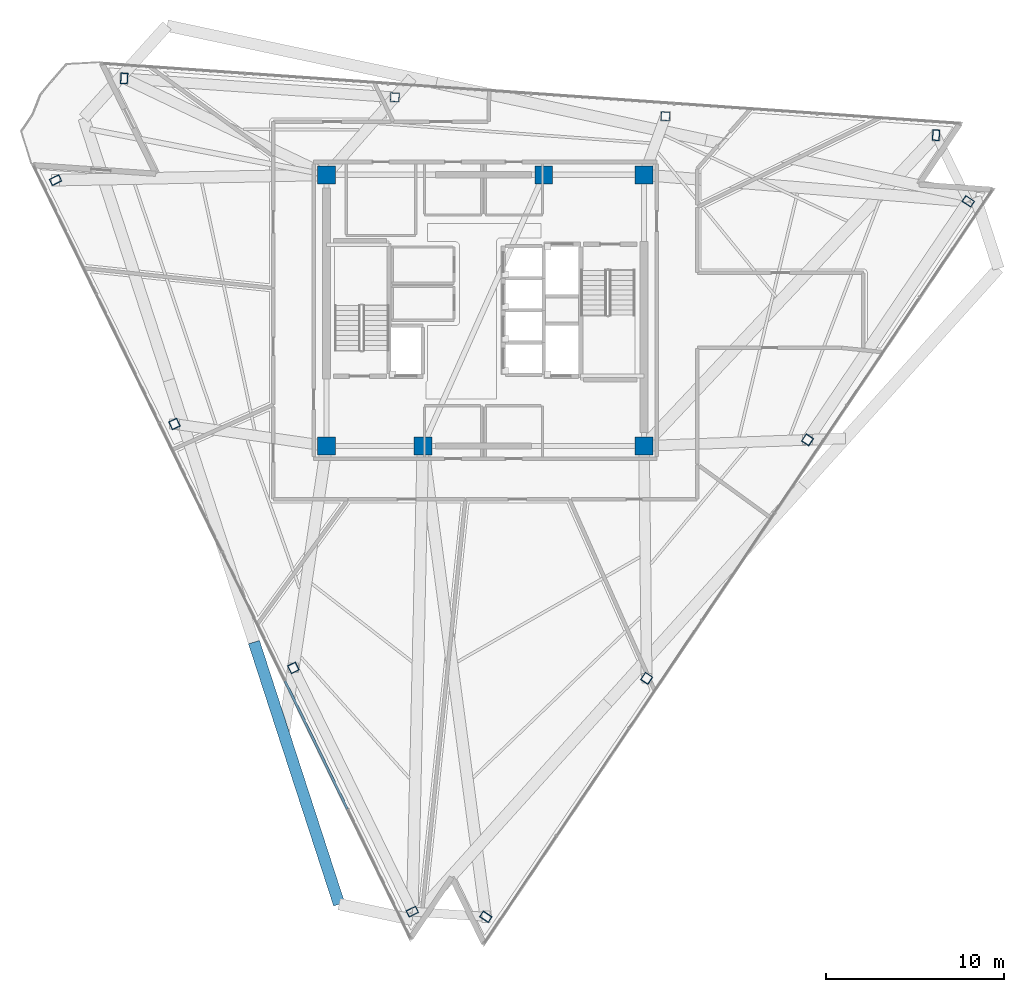
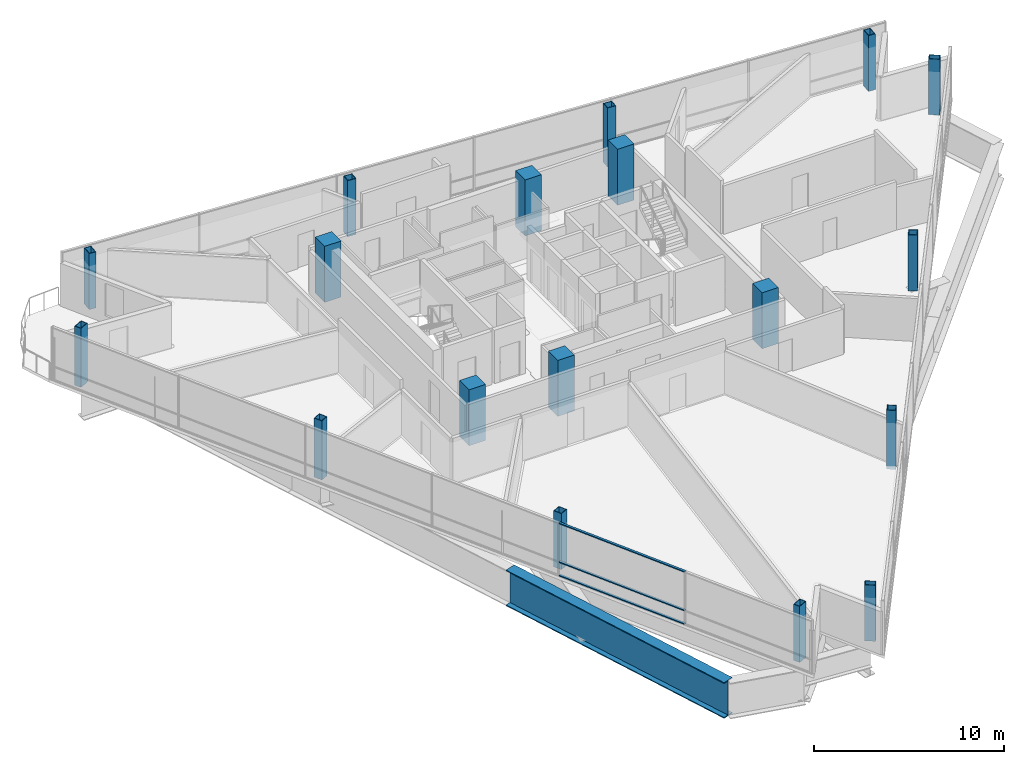
# One storey, part 1 of 14: 18 columns, 3 members, 1 beam, 1 element without a shape of its own.
"""IFC4 building model written with IfcOpenShell, lengths in metres."""

from ifc_helpers import new_model, si_unit, direction, frame, origin, origin_2d, place, context, subcontext, project, spatial, rectangle, hollow_rectangle, i_section, extrude, material, layer, layer_set, material_profile, profile_set, type_object, element, aggregate, save


model = new_model("IFC4")

# Units and contexts
model_context = context("Model", 3, precision=1e-05, world=origin(), true_north=direction((0.0, 1.0)))
body_context = subcontext(model_context, "Body", "Model", "MODEL_VIEW")
ifc_project = project(units=[si_unit("LENGTHUNIT", "METRE"), si_unit("AREAUNIT", "SQUARE_METRE"), si_unit("VOLUMEUNIT", "CUBIC_METRE"), si_unit("PLANEANGLEUNIT", "RADIAN"), si_unit("MASSUNIT", "GRAM", prefix="KILO")], contexts=[model_context])

# Site, building, storey
site_placement = place(None, origin())
site = spatial("IfcSite", under=ifc_project, at=site_placement, CompositionType="ELEMENT")
building_placement = place(site_placement, origin())
building = spatial("IfcBuilding", under=site, at=building_placement, Name="Tharavind Bronze Gate", CompositionType="ELEMENT")
storey_placement = place(building_placement, frame((0.0, 0.0, 227.050048828125)))
storey = spatial("IfcBuildingStorey", under=building, at=storey_placement, Name="L58", CompositionType="ELEMENT", Elevation=227.050048828125)

# Columns
ifc_material_1 = material(Name="Steel S460", Category="steel")
ifc_material_profile_1 = material_profile(ifc_material_1, hollow_rectangle(XDim=0.39990234375, YDim=0.60009765625, WallThickness=0.030029296875, at=origin_2d()), Name="RHS600X400X30")
ifc_profile_set_1 = profile_set([ifc_material_profile_1], Name="Steel S460")
column_type_1 = type_object("IfcColumnType", Name="CORNER NOTCH COLUMN RHS600X400", PredefinedType="COLUMN", material=ifc_profile_set_1)
column_1_placement = place(storey_placement, frame((-24.093505859375, 7.302001953125, -0.18994140625), z_axis=(0.0, 0.0, 1.0), x_axis=(-0.438371146789, 0.898794046299, 0.0)))
element("IfcColumn", 1, at=column_1_placement, inside=storey, type_object=column_type_1, Name="L58 perimeter column S1C1", PredefinedType="COLUMN", context=body_context, shape_type="SweptSolid", body=[
    extrude(hollow_rectangle(XDim=0.39990234375, YDim=0.60009765625, WallThickness=0.030029296875, at=origin_2d()), origin(), (0.0, 0.0, 1.0), 3.789794921875),
])
for number, where, z_axis, x_axis, name in (
    (2, (-4.090576171875, -33.710205078125, 0.0), (0.0, 0.0, 1.0), (-0.438371146789, 0.898794046299, 0.0), "L58 perimeter column S1C4"),
    (3, (0.02734375, -33.998046875, 0.0), (0.0, 0.0, 1.0), (0.559194350413, 0.829036596578, 0.0), "L58 perimeter column S2C1"),
    (4, (27.082275390625, 6.112548828125, 0.0), (0.0, 0.0, 1.0), (0.559194350413, 0.829036596578, 0.0), "L58 perimeter column S2C4"),
    (5, (25.272705078125, 9.82275390625, 0.0), (0.0, 0.0, 1.0), (-0.99756405026, 0.069756473744, 0.0), "L58 perimeter column S3C1"),
    (6, (-20.246337890625, 13.005615234375, 0.0), (0.0, 0.0, 1.0), (-0.99756405026, 0.069756473744, 0.0), "L58 perimeter column S3C4"),
):
    element("IfcColumn", number, at=place(storey_placement, frame(where, z_axis=z_axis, x_axis=x_axis)), inside=storey, type_object=column_type_1, Name=name, PredefinedType="COLUMN", context=body_context, shape_type="SweptSolid", body=[
        extrude(hollow_rectangle(XDim=0.39990234375, YDim=0.60009765625, WallThickness=0.030029296875, at=origin_2d()), origin(), (0.0, 0.0, 1.0), 3.599853515625),
    ])
ifc_material_2 = material(Name="Concrete C50/60", Category="concrete")
ifc_material_profile_2 = material_profile(ifc_material_2, rectangle(XDim=1.0, YDim=1.0, at=origin_2d()), Name="RCCOL1000")
ifc_profile_set_2 = profile_set([ifc_material_profile_2], Name="Concrete C50/60")
column_type_2 = type_object("IfcColumnType", Name="MEGA CORE COLUMN 1000", PredefinedType="COLUMN", material=ifc_profile_set_2)
for number, where, z_axis, x_axis, name in (
    (7, (-8.89990234375, -7.60009765625, 0.0), (0.0, 0.0, 1.0), (1.0, 0.0, 0.0), "L58 core mega column MC1"),
    (8, (-3.5, -7.60009765625, 0.0), (0.0, 0.0, 1.0), (1.0, 0.0, 0.0), "L58 core mega column MC2"),
    (9, (8.89990234375, -7.60009765625, 0.0), (0.0, 0.0, 1.0), (1.0, 0.0, 0.0), "L58 core mega column MC3"),
    (10, (8.89990234375, 7.60009765625, 0.0), (0.0, 0.0, 1.0), (1.0, 0.0, 0.0), "L58 core mega column MC4"),
    (11, (3.280029296875, 7.60009765625, 0.0), (0.0, 0.0, 1.0), (1.0, 0.0, 0.0), "L58 core mega column MC5"),
    (12, (-8.89990234375, 7.60009765625, 0.0), (0.0, 0.0, 1.0), (1.0, 0.0, 0.0), "L58 core mega column MC6"),
):
    element("IfcColumn", number, at=place(storey_placement, frame(where, z_axis=z_axis, x_axis=x_axis)), inside=storey, type_object=column_type_2, Name=name, PredefinedType="COLUMN", context=body_context, shape_type="SweptSolid", body=[
        extrude(rectangle(XDim=1.0, YDim=1.0, at=origin_2d()), origin(), (0.0, 0.0, 1.0), 3.599853515625),
    ])
ifc_material_profile_3 = material_profile(ifc_material_1, hollow_rectangle(XDim=0.5, YDim=0.5, WallThickness=0.031982421875, at=origin_2d()), Name="SHS500X32")
ifc_profile_set_3 = profile_set([ifc_material_profile_3], Name="Steel S460")
column_type_3 = type_object("IfcColumnType", Name="PERIMETER BOX COLUMN SHS500", PredefinedType="COLUMN", material=ifc_profile_set_3)
column_2_placement = place(storey_placement, frame((-17.42578125, -6.368896484375, -0.18994140625), z_axis=(0.0, 0.0, 1.0), x_axis=(-0.438371146789, 0.898794046299, 0.0)))
element("IfcColumn", 13, at=column_2_placement, inside=storey, type_object=column_type_3, Name="L58 perimeter column S1C2", PredefinedType="COLUMN", context=body_context, shape_type="SweptSolid", body=[
    extrude(hollow_rectangle(XDim=0.5, YDim=0.5, WallThickness=0.031982421875, at=origin_2d()), origin(), (0.0, 0.0, 1.0), 3.789794921875),
])
column_3_placement = place(storey_placement, frame((-10.75830078125, -20.039306640625, 0.0), z_axis=(0.0, 0.0, 1.0), x_axis=(-0.438371146789, 0.898794046299, 0.0)))
element("IfcColumn", 14, at=column_3_placement, inside=storey, type_object=column_type_3, Name="L58 perimeter column S1C3", PredefinedType="COLUMN", context=body_context, shape_type="SweptSolid", body=[
    extrude(hollow_rectangle(XDim=0.5, YDim=0.5, WallThickness=0.031982421875, at=origin_2d()), origin(), (0.0, 0.0, 1.0), 3.599853515625),
])
column_4_placement = place(storey_placement, frame((9.045654296875, -20.627685546875, -0.18994140625), z_axis=(0.0, 0.0, 1.0), x_axis=(0.559194350413, 0.829036596578, 0.0)))
element("IfcColumn", 15, at=column_4_placement, inside=storey, type_object=column_type_3, Name="L58 perimeter column S2C2", PredefinedType="COLUMN", context=body_context, shape_type="SweptSolid", body=[
    extrude(hollow_rectangle(XDim=0.5, YDim=0.5, WallThickness=0.031982421875, at=origin_2d()), origin(), (0.0, 0.0, 1.0), 3.789794921875),
])
column_5_placement = place(storey_placement, frame((18.06396484375, -7.2578125, 0.0), z_axis=(0.0, 0.0, 1.0), x_axis=(0.559194350413, 0.829036596578, 0.0)))
element("IfcColumn", 16, at=column_5_placement, inside=storey, type_object=column_type_3, Name="L58 perimeter column S2C3", PredefinedType="COLUMN", context=body_context, shape_type="SweptSolid", body=[
    extrude(hollow_rectangle(XDim=0.5, YDim=0.5, WallThickness=0.031982421875, at=origin_2d()), origin(), (0.0, 0.0, 1.0), 3.599853515625),
])
column_6_placement = place(storey_placement, frame((10.099609375, 10.8837890625, -0.18994140625), z_axis=(0.0, 0.0, 1.0), x_axis=(-0.99756405026, 0.069756473744, 0.0)))
element("IfcColumn", 17, at=column_6_placement, inside=storey, type_object=column_type_3, Name="L58 perimeter column S3C2", PredefinedType="COLUMN", context=body_context, shape_type="SweptSolid", body=[
    extrude(hollow_rectangle(XDim=0.5, YDim=0.5, WallThickness=0.031982421875, at=origin_2d()), origin(), (0.0, 0.0, 1.0), 3.789794921875),
])
column_7_placement = place(storey_placement, frame((-5.0732421875, 11.944580078125, 0.0), z_axis=(0.0, 0.0, 1.0), x_axis=(-0.99756405026, 0.069756473744, 0.0)))
element("IfcColumn", 18, at=column_7_placement, inside=storey, type_object=column_type_3, Name="L58 perimeter column S3C3", PredefinedType="COLUMN", context=body_context, shape_type="SweptSolid", body=[
    extrude(hollow_rectangle(XDim=0.5, YDim=0.5, WallThickness=0.031982421875, at=origin_2d()), origin(), (0.0, 0.0, 1.0), 3.599853515625),
])

# Curtain wall, members
ifc_material_3 = material(Name="Anodised Bronze Aluminium", Category="aluminium")
ifc_layer = layer(ifc_material_3, 0.219970703125)
ifc_layer_set = layer_set([ifc_layer], Name="Anodised Bronze Aluminium")
curtain_wall_type = type_object("IfcCurtainWallType", Name="UNITISED CURTAIN WALL UPPER OFFICE", PredefinedType="USERDEFINED", material=ifc_layer_set)
curtain_wall_placement = place(storey_placement, origin())
curtain_wall = element("IfcCurtainWall", 19, at=curtain_wall_placement, inside=storey, type_object=curtain_wall_type, Name="L58 unitised curtain wall upper office CW-L58-S1", ObjectType="UNITISED CURTAIN WALL", PredefinedType="USERDEFINED")
member_type = type_object("IfcMemberType", Name="CURTAIN WALL BRONZE TRANSOM 65X140", PredefinedType="USERDEFINED", material=ifc_material_3)
member_1_placement = place(storey_placement, frame((-9.480712890625, -24.36962890625, 0.0), z_axis=(0.0, 0.0, 1.0), x_axis=(0.438371146789, -0.898794046299, 0.0)))
member_1 = element("IfcMember", 20, at=member_1_placement, type_object=member_type, Name="CW-L58-S1 transom TB5", ObjectType="TRANSOM", PredefinedType="USERDEFINED", context=body_context, shape_type="SweptSolid", body=[
    extrude(rectangle(XDim=7.985107421875, YDim=0.139892578125, at=origin_2d()), origin(), (0.0, 0.0, 1.0), 0.06494140625),
])
member_2_placement = place(storey_placement, frame((-9.480712890625, -24.36962890625, 0.867431640625), z_axis=(0.0, 0.0, 1.0), x_axis=(0.438371146789, -0.898794046299, 0.0)))
member_2 = element("IfcMember", 21, at=member_2_placement, type_object=member_type, Name="CW-L58-S1 transom TS5", ObjectType="TRANSOM", PredefinedType="USERDEFINED", context=body_context, shape_type="SweptSolid", body=[
    extrude(rectangle(XDim=7.985107421875, YDim=0.139892578125, at=origin_2d()), origin(), (0.0, 0.0, 1.0), 0.06494140625),
])
member_3_placement = place(storey_placement, frame((-9.480712890625, -24.36962890625, 3.35498046875), z_axis=(0.0, 0.0, 1.0), x_axis=(0.438371146789, -0.898794046299, 0.0)))
member_3 = element("IfcMember", 22, at=member_3_placement, type_object=member_type, Name="CW-L58-S1 transom TT5", ObjectType="TRANSOM", PredefinedType="USERDEFINED", context=body_context, shape_type="SweptSolid", body=[
    extrude(rectangle(XDim=7.985107421875, YDim=0.139892578125, at=origin_2d()), origin(), (0.0, 0.0, 1.0), 0.06494140625),
])
aggregate(curtain_wall, [member_1, member_2, member_3])

# Beam
ifc_material_profile_4 = material_profile(ifc_material_1, i_section(OverallWidth=0.64990234375, OverallDepth=2.300048828125, WebThickness=0.035888671875, FlangeThickness=0.05810546875, at=origin_2d()), Name="PG2300X650")
ifc_profile_set_4 = profile_set([ifc_material_profile_4], Name="Steel S460")
beam_type = type_object("IfcBeamType", Name="TRANSFER GIRDER 2300X650", PredefinedType="USERDEFINED", material=ifc_profile_set_4)
beam_placement = place(storey_placement, frame((-12.9697265625, -18.60205078125, -1.340087890625), z_axis=(0.309006009957, -0.951060085279, 0.0), x_axis=(0.951060085279, 0.309006009957, 0.0)))
element("IfcBeam", 23, at=beam_placement, inside=storey, type_object=beam_type, Name="L58 transfer girder 2300x650 BM-L58-LRG03", ObjectType="TRANSFER GIRDER", PredefinedType="USERDEFINED", context=body_context, shape_type="SweptSolid", body=[
    extrude(i_section(OverallWidth=0.64990234375, OverallDepth=2.300048828125, WebThickness=0.035888671875, FlangeThickness=0.05810546875, at=origin_2d()), origin(), (0.0, 0.0, 1.0), 15.4453125),
])

save(model, "model.ifc")
